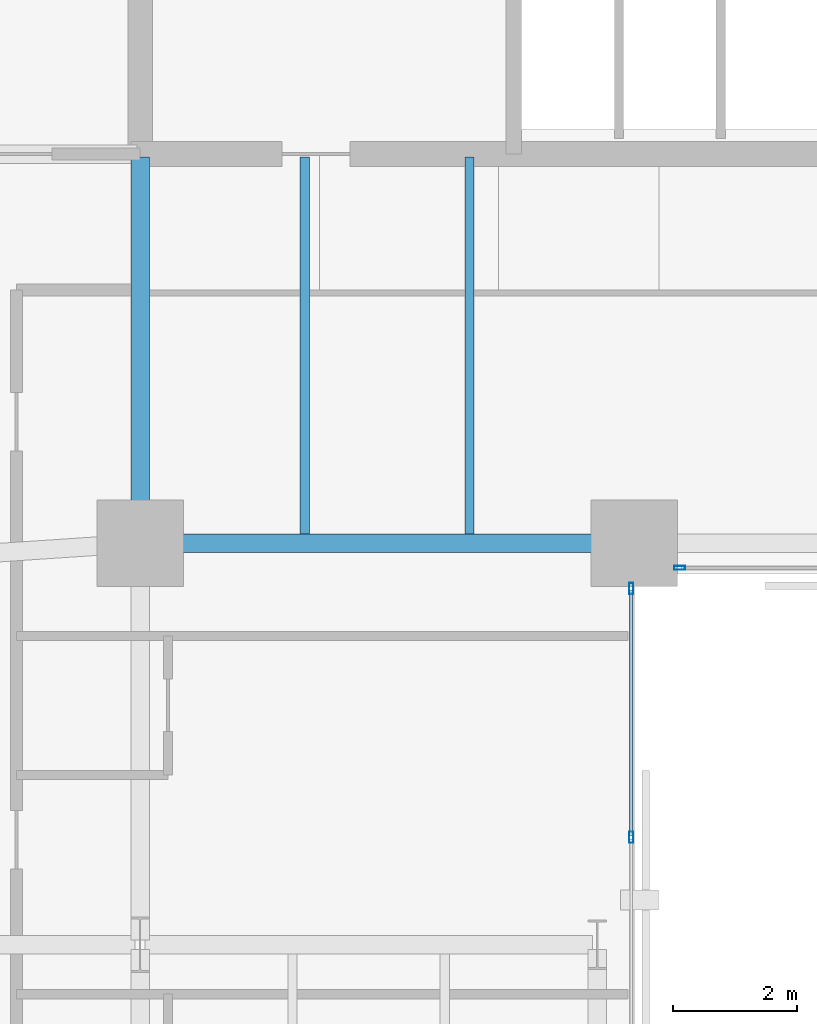
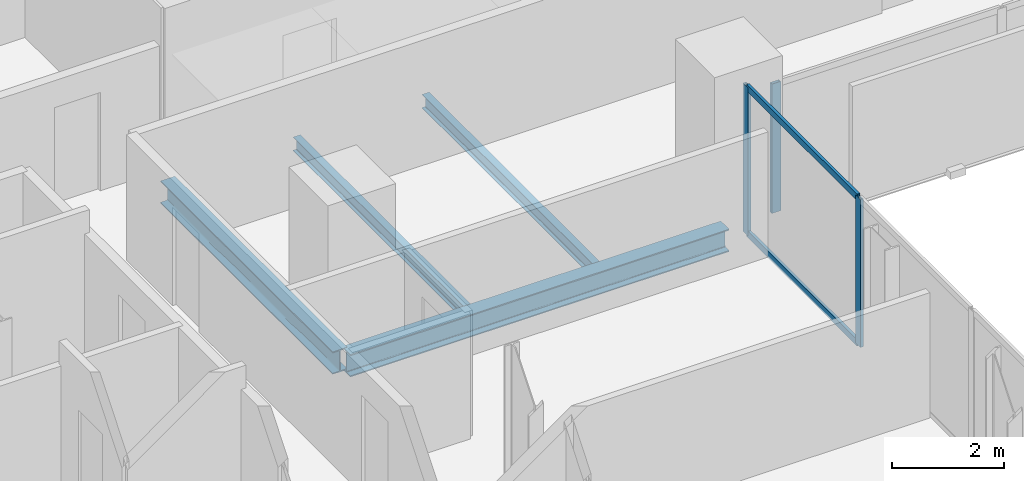
# One storey, part 13 of 33: 5 members, 4 beams, 2 elements without a shape of their own.
"""IFC4 building model written with IfcOpenShell, lengths in metres."""

from ifc_helpers import new_model, si_unit, direction, frame, origin, origin_2d, place, context, subcontext, project, spatial, hollow_rectangle, i_section, extrude, material, layer, layer_set, material_profile, profile_set, type_object, element, aggregate, save


model = new_model("IFC4")

# Units and contexts
model_context = context("Model", 3, precision=1e-05, world=origin(), true_north=direction((0.0, 1.0)))
body_context = subcontext(model_context, "Body", "Model", "MODEL_VIEW")
ifc_project = project(units=[si_unit("LENGTHUNIT", "METRE"), si_unit("AREAUNIT", "SQUARE_METRE"), si_unit("VOLUMEUNIT", "CUBIC_METRE"), si_unit("PLANEANGLEUNIT", "RADIAN"), si_unit("MASSUNIT", "GRAM", prefix="KILO")], contexts=[model_context])

# Site, building, storey
site_placement = place(None, origin())
site = spatial("IfcSite", under=ifc_project, at=site_placement, CompositionType="ELEMENT")
building_placement = place(site_placement, origin())
building = spatial("IfcBuilding", under=site, at=building_placement, Name="Catumbela Crestline Tower", CompositionType="ELEMENT")
storey_placement = place(building_placement, frame((0.0, 0.0, 76.2)))
storey = spatial("IfcBuildingStorey", under=building, at=storey_placement, Name="L19", CompositionType="ELEMENT", Elevation=76.2)

# Beams
ifc_material_1 = material(Name="Structural steel S355J2", Category="steel")
ifc_material_profile_1 = material_profile(ifc_material_1, i_section(OverallWidth=0.3, OverallDepth=0.49, WebThickness=0.012, FlangeThickness=0.023, FilletRadius=0.027, at=origin_2d()), Name="HEA 500")
ifc_profile_set_1 = profile_set([ifc_material_profile_1], Name="Structural steel S355J2")
beam_type_1 = type_object("IfcBeamType", Name="BG-HEA500", PredefinedType="BEAM", material=ifc_profile_set_1)
beam_1_placement = place(storey_placement, frame((16.08, 24.5, -0.505), z_axis=(1.0, 0.0, 0.0), x_axis=(0.0, 1.0, 0.0)))
element("IfcBeam", 1, at=beam_1_placement, inside=storey, type_object=beam_type_1, Name="L19 Beam BM-L19-S04", PredefinedType="BEAM", context=body_context, shape_type="SweptSolid", body=[
    extrude(i_section(OverallWidth=0.3, OverallDepth=0.49, WebThickness=0.012, FlangeThickness=0.023, FilletRadius=0.027, at=origin_2d()), origin(), (0.0, 0.0, 1.0), 7.84),
])
beam_2_placement = place(storey_placement, frame((16.0, 24.58, -0.505), z_axis=(0.0, 1.0, 0.0), x_axis=(-1.0, 0.0, 0.0)))
element("IfcBeam", 2, at=beam_2_placement, inside=storey, type_object=beam_type_1, Name="L19 Beam BM-L19-SNS31", PredefinedType="BEAM", context=body_context, shape_type="SweptSolid", body=[
    extrude(i_section(OverallWidth=0.3, OverallDepth=0.49, WebThickness=0.012, FlangeThickness=0.023, FilletRadius=0.027, at=origin_2d()), origin(), (0.0, 0.0, 1.0), 6.17),
])
ifc_material_profile_2 = material_profile(ifc_material_1, i_section(OverallWidth=0.15, OverallDepth=0.3, WebThickness=0.0071, FlangeThickness=0.0107, FilletRadius=0.015, at=origin_2d()), Name="IPE 300")
ifc_profile_set_2 = profile_set([ifc_material_profile_2], Name="Structural steel S355J2")
beam_type_2 = type_object("IfcBeamType", Name="BJ-IPE300", PredefinedType="JOIST", material=ifc_profile_set_2)
for number, where, z_axis, x_axis, name in (
    (3, (18.667, 24.647, -0.41), (0.0, 1.0, 0.0), (-1.0, 0.0, 0.0), "L19 Joist JS-L19-SP42"),
    (4, (21.333, 24.647, -0.41), (0.0, 1.0, 0.0), (-1.0, 0.0, 0.0), "L19 Joist JS-L19-SP43"),
):
    element("IfcBeam", number, at=place(storey_placement, frame(where, z_axis=z_axis, x_axis=x_axis)), inside=storey, type_object=beam_type_2, Name=name, PredefinedType="JOIST", context=body_context, shape_type="SweptSolid", body=[
        extrude(i_section(OverallWidth=0.15, OverallDepth=0.3, WebThickness=0.0071, FlangeThickness=0.0107, FilletRadius=0.015, at=origin_2d()), origin(), (0.0, 0.0, 1.0), 6.103),
    ])

# Curtain wall, members
ifc_material_2 = material(Name="Aluminium alloy AW-6060-T66", Category="aluminium")
ifc_layer = layer(ifc_material_2, 0.18, Name="Aluminium alloy AW-6060-T66")
ifc_layer_set = layer_set([ifc_layer], Name="Aluminium alloy AW-6060-T66")
curtain_wall_type = type_object("IfcCurtainWallType", Name="CWU-Z1", PredefinedType="USERDEFINED", material=ifc_layer_set)
curtain_wall_1_placement = place(storey_placement, origin())
curtain_wall_1 = element("IfcCurtainWall", 5, at=curtain_wall_1_placement, inside=storey, type_object=curtain_wall_type, Name="L19 Unitised Curtain Wall CW-L19-E2S1", ObjectType="UNITISED", PredefinedType="USERDEFINED")
ifc_material_profile_3 = material_profile(ifc_material_2, hollow_rectangle(XDim=0.065, YDim=0.18, WallThickness=0.004, at=origin_2d()), Name="ALU 180x65x4")
ifc_profile_set_3 = profile_set([ifc_material_profile_3], Name="Aluminium alloy AW-6060-T66")
member_type_1 = type_object("IfcMemberType", Name="MUL-180X65", PredefinedType="MULLION", material=ifc_profile_set_3)
member_1_placement = place(storey_placement, frame((23.95, 19.74, 0.0), z_axis=(0.0, 0.0, 1.0), x_axis=(-1.0, 0.0, 0.0)))
member_1 = element("IfcMember", 6, at=member_1_placement, type_object=member_type_1, Name="CWU-Z1 mullion 5", PredefinedType="MULLION", context=body_context, shape_type="SweptSolid", body=[
    extrude(hollow_rectangle(XDim=0.065, YDim=0.18, WallThickness=0.004, at=origin_2d()), origin(), (0.0, 0.0, 1.0), 3.24),
])
member_2_placement = place(storey_placement, frame((23.95, 23.7675, 0.0), z_axis=(0.0, 0.0, 1.0), x_axis=(-1.0, 0.0, 0.0)))
member_2 = element("IfcMember", 7, at=member_2_placement, type_object=member_type_1, Name="CWU-Z1 mullion 6", PredefinedType="MULLION", context=body_context, shape_type="SweptSolid", body=[
    extrude(hollow_rectangle(XDim=0.065, YDim=0.18, WallThickness=0.004, at=origin_2d()), origin(), (0.0, 0.0, 1.0), 3.24),
])

# Curtain wall, member
curtain_wall_2_placement = place(storey_placement, origin())
curtain_wall_2 = element("IfcCurtainWall", 8, at=curtain_wall_2_placement, inside=storey, type_object=curtain_wall_type, Name="L19 Unitised Curtain Wall CW-L19-E3S1", ObjectType="UNITISED", PredefinedType="USERDEFINED")
member_3_placement = place(storey_placement, frame((24.7325, 24.1, 0.0), z_axis=(0.0, 0.0, 1.0), x_axis=(0.0, 1.0, 0.0)))
member_3 = element("IfcMember", 9, at=member_3_placement, type_object=member_type_1, Name="CWU-Z1 mullion 1", PredefinedType="MULLION", context=body_context, shape_type="SweptSolid", body=[
    extrude(hollow_rectangle(XDim=0.065, YDim=0.18, WallThickness=0.004, at=origin_2d()), origin(), (0.0, 0.0, 1.0), 2.83),
])
aggregate(curtain_wall_2, [member_3])

# Member
ifc_material_profile_4 = material_profile(ifc_material_2, hollow_rectangle(XDim=0.06, YDim=0.14, WallThickness=0.004, at=origin_2d()), Name="ALU 140x60x4")
ifc_profile_set_4 = profile_set([ifc_material_profile_4], Name="Aluminium alloy AW-6060-T66")
member_type_2 = type_object("IfcMemberType", Name="TRN-140X60", PredefinedType="USERDEFINED", material=ifc_profile_set_4)
member_4_placement = place(storey_placement, frame((23.95, 19.7725, 0.03), z_axis=(0.0, 1.0, 0.0), x_axis=(-1.0, 0.0, 0.0)))
member_4 = element("IfcMember", 10, at=member_4_placement, type_object=member_type_2, Name="CWU-Z1 transom 5.1", ObjectType="TRANSOM", PredefinedType="USERDEFINED", context=body_context, shape_type="SweptSolid", body=[
    extrude(hollow_rectangle(XDim=0.06, YDim=0.14, WallThickness=0.004, at=origin_2d()), origin(), (0.0, 0.0, 1.0), 3.9625),
])

member_5_placement = place(storey_placement, frame((23.95, 19.7725, 3.21), z_axis=(0.0, 1.0, 0.0), x_axis=(-1.0, 0.0, 0.0)))
member_5 = element("IfcMember", 11, at=member_5_placement, type_object=member_type_2, Name="CWU-Z1 transom 5.2", ObjectType="TRANSOM", PredefinedType="USERDEFINED", context=body_context, shape_type="SweptSolid", body=[
    extrude(hollow_rectangle(XDim=0.06, YDim=0.14, WallThickness=0.004, at=origin_2d()), origin(), (0.0, 0.0, 1.0), 3.9625),
])

aggregate(curtain_wall_1, [member_1, member_2, member_4, member_5])

save(model, "model.ifc")
